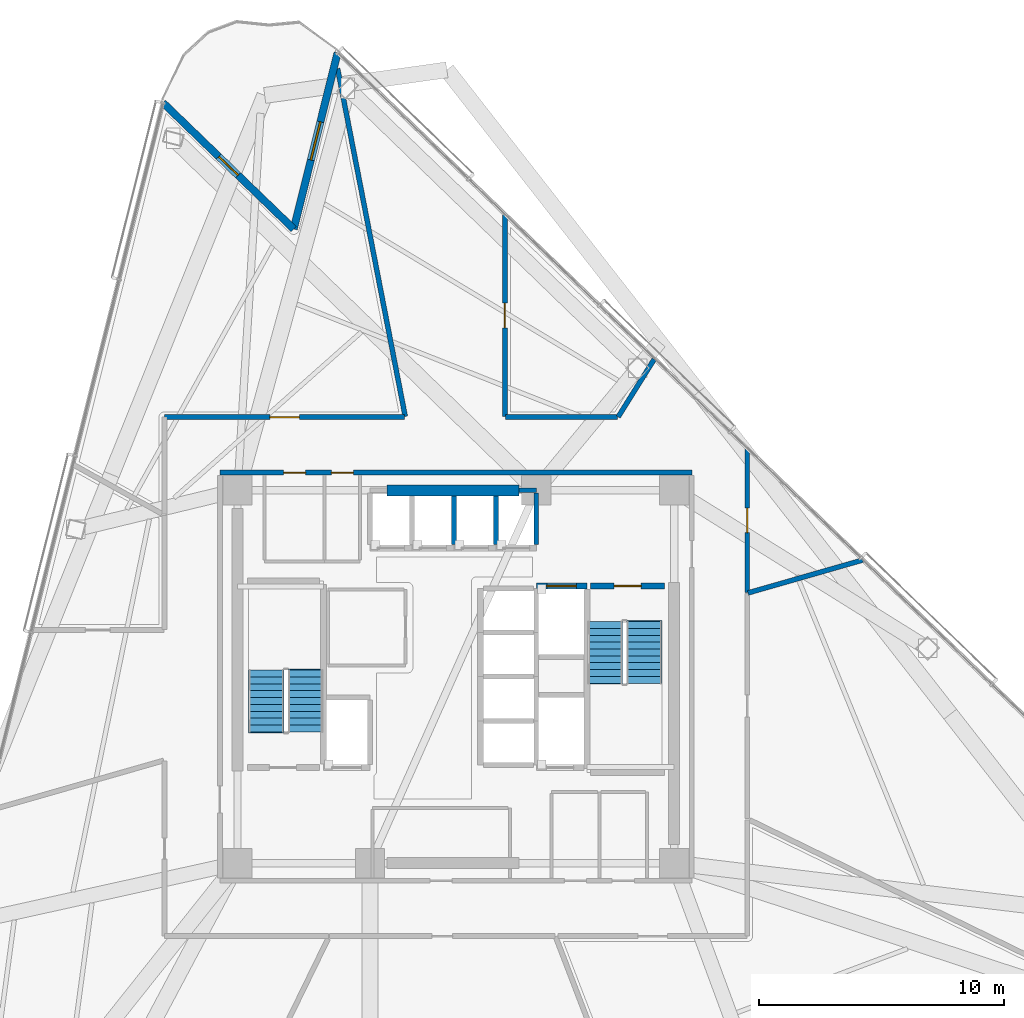
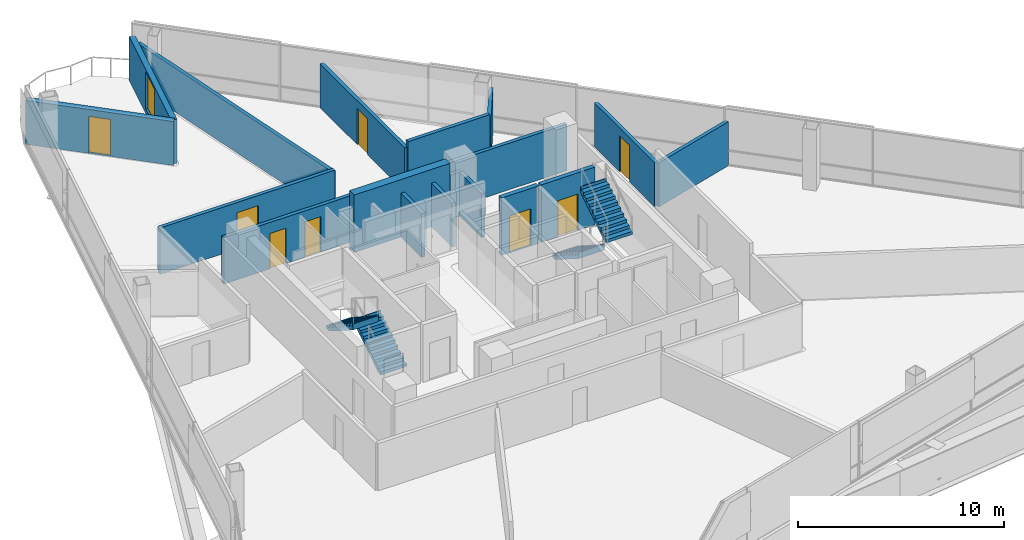
# One storey, part 13 of 21: 17 walls, 8 doors, 4 stair flights, 1 window, 9 openings, 2 elements without a shape of their own.
"""IFC4 building model written with IfcOpenShell, lengths in metres."""

import ifcopenshell
import ifcopenshell.guid

model = None  # the IFC model being written
_history = None  # IfcOwnerHistory: only IFC2X3 demands one
_inside = {}  # id of a spatial element -> (the spatial element, [elements in it])
_under = {}  # id of a project, library or spatial element -> (it, [spatial elements below it])
_declared = {}  # id of a project -> (the project, [libraries it declares])
_typed = {}  # id of a type object -> (the type object, [elements of that type])
_made_of = {}  # id of a material, layer set ... -> (it, [elements and type objects made of it])


def new_model(schema):
    """Start an empty IFC model of exactly this schema.

    Asked for "IFC4X3", IfcOpenShell would pick the latest addendum, in which some entities
    have other attributes; the version numbers below select the first issue.
    IFC2X3 requires an IfcOwnerHistory on every rooted entity: one is made here for all.
    """
    global model, _history
    if schema == "IFC4X3":
        model = ifcopenshell.file(schema_version=(4, 3, 0, 0))
    else:
        model = ifcopenshell.file(schema=schema)
    _inside.clear()
    _under.clear()
    _declared.clear()
    _typed.clear()
    _made_of.clear()
    _history = None
    if model.schema == "IFC2X3":
        org = make("IfcOrganization", Name="unknown")
        user = make(
            "IfcPersonAndOrganization",
            ThePerson=make("IfcPerson", FamilyName="unknown"),
            TheOrganization=org,
        )
        app = make(
            "IfcApplication",
            ApplicationDeveloper=org,
            Version="unknown",
            ApplicationFullName="unknown",
            ApplicationIdentifier="unknown",
        )
        _history = make(
            "IfcOwnerHistory",
            OwningUser=user,
            OwningApplication=app,
            ChangeAction="ADDED",
            CreationDate=0,
        )
    return model


def make(cls, **values):
    """One entity of the class cls with the attributes given. An attribute that is None is left unset."""
    return model.create_entity(
        cls, **{name: value for name, value in values.items() if value is not None}
    )


def rooted(cls, **values):
    """An entity with a GlobalId (a new one), such as an element, a storey or a relation."""
    return make(cls, GlobalId=ifcopenshell.guid.new(), OwnerHistory=_history, **values)


def si_unit(unit_type, name, prefix=None):
    """IfcSIUnit, for example si_unit("LENGTHUNIT", "METRE", prefix="MILLI")."""
    return make("IfcSIUnit", UnitType=unit_type, Prefix=prefix, Name=name)


def assignment(units):
    """IfcUnitAssignment: the units of a project."""
    return None if units is None else make("IfcUnitAssignment", Units=units)


def point(xyz):
    """IfcCartesianPoint."""
    return None if xyz is None else make("IfcCartesianPoint", Coordinates=xyz)


def direction(xyz):
    """IfcDirection."""
    return None if xyz is None else make("IfcDirection", DirectionRatios=xyz)


def frame(location, z_axis=None, x_axis=None):
    """IfcAxis2Placement3D, a coordinate frame: its origin and axes. An axis left out is left unset."""
    return make(
        "IfcAxis2Placement3D",
        Location=point(location),
        Axis=direction(z_axis),
        RefDirection=direction(x_axis),
    )


def frame_2d(location, x_axis=None):
    """IfcAxis2Placement2D, a coordinate frame in the plane: its origin and x axis."""
    return make(
        "IfcAxis2Placement2D", Location=point(location), RefDirection=direction(x_axis)
    )


def origin():
    """The frame at (0, 0, 0) with its axes left unset."""
    return frame((0.0, 0.0, 0.0))


def place(relative_to, where):
    """IfcLocalPlacement: puts the frame where relative to a parent placement (None: the world)."""
    return make(
        "IfcLocalPlacement", PlacementRelTo=relative_to, RelativePlacement=where
    )


def context(
    kind, dimensions, precision=None, world=None, true_north=None, identifier=None
):
    """IfcGeometricRepresentationContext, for example the 3D "Model" context."""
    return make(
        "IfcGeometricRepresentationContext",
        ContextIdentifier=identifier,
        ContextType=kind,
        CoordinateSpaceDimension=dimensions,
        Precision=precision,
        WorldCoordinateSystem=world,
        TrueNorth=true_north,
    )


def subcontext(parent, identifier, kind, view, scale=None):
    """IfcGeometricRepresentationSubContext, for example "Body" below "Model"."""
    return make(
        "IfcGeometricRepresentationSubContext",
        ContextIdentifier=identifier,
        ContextType=kind,
        ParentContext=parent,
        TargetScale=scale,
        TargetView=view,
    )


def project(units=None, contexts=None):
    """IfcProject with its units and contexts."""
    return rooted(
        "IfcProject",
        Name="project",
        RepresentationContexts=contexts,
        UnitsInContext=assignment(units),
    )


def spatial(cls, under=None, at=None, **own):
    """A site, building, storey or space (cls), placed at a placement, below another one or the project."""
    s = rooted(cls, ObjectPlacement=at, **own)
    if under is not None:
        _under.setdefault(under.id(), (under, []))[1].append(s)
    return s


def polyline(points):
    """IfcPolyline through the points."""
    return make("IfcPolyline", Points=[point(p) for p in points])


def profile(cls, at=None, kind="AREA", **sizes):
    """A parametric profile (cls). Its sizes go by their IFC names, for example OverallWidth=200.0."""
    return make(cls, ProfileType=kind, Position=at, **sizes)


def rectangle(**sizes):
    """IfcRectangleProfileDef."""
    return profile("IfcRectangleProfileDef", **sizes)


def outline(outer, holes=None, kind="AREA"):
    """IfcArbitraryClosedProfileDef: a profile drawn as a closed curve; with holes, ...WithVoids."""
    if holes is None:
        return make("IfcArbitraryClosedProfileDef", ProfileType=kind, OuterCurve=outer)
    return make(
        "IfcArbitraryProfileDefWithVoids",
        ProfileType=kind,
        OuterCurve=outer,
        InnerCurves=holes,
    )


def extrude(swept, where, along, depth):
    """IfcExtrudedAreaSolid: the profile swept, set in the frame where, extruded along a direction by depth."""
    return make(
        "IfcExtrudedAreaSolid",
        SweptArea=swept,
        Position=where,
        ExtrudedDirection=direction(along),
        Depth=depth,
    )


def shape(context_of_items, identifier, shape_type, items):
    """IfcShapeRepresentation: the items that make up one representation, for example the "Body"."""
    return make(
        "IfcShapeRepresentation",
        ContextOfItems=context_of_items,
        RepresentationIdentifier=identifier,
        RepresentationType=shape_type,
        Items=items,
    )


def material(Name=None, Category=None):
    """IfcMaterial."""
    return make("IfcMaterial", Name=Name, Category=Category)


def layer(
    of_material, thickness, ventilated=None, Name=None, Category=None, Priority=None
):
    """IfcMaterialLayer: one layer of a wall or slab, of a material (None: an air gap)."""
    return make(
        "IfcMaterialLayer",
        Material=of_material,
        LayerThickness=thickness,
        IsVentilated=ventilated,
        Name=Name,
        Category=Category,
        Priority=Priority,
    )


def layer_set(layers, Name=None):
    """IfcMaterialLayerSet."""
    return make("IfcMaterialLayerSet", MaterialLayers=layers, LayerSetName=Name)


def made_of(thing, what):
    """Note that an element or type object is made of a material, layer set ...; save() writes the relation."""
    if what is not None:
        _made_of.setdefault(what.id(), (what, []))[1].append(thing)
    return thing


def type_object(cls, material=None, **own):
    """A type object (cls), such as IfcWallType, which elements share."""
    return made_of(rooted(cls, **own), material)


def element(
    cls,
    number,
    at=None,
    inside=None,
    cuts=None,
    type_object=None,
    material=None,
    context=None,
    identifier="Body",
    shape_type=None,
    held_by="IfcProductDefinitionShape",
    body=None,
    shapes=None,
    **own,
):
    """One element of the class cls, such as IfcWall. Its Tag is "e" and its number.

    at: its placement. inside: the storey or other place that contains it. cuts: it is an
    opening in that element (IfcRelVoidsElement). A single representation is given by context,
    identifier, shape_type and body (its items); several are given by shapes. held_by: the class
    of the entity that holds the representations. save() writes the other relations.
    """
    e = rooted(cls, Tag="e%d" % number, ObjectPlacement=at, **own)
    if body is not None:
        shapes = [shape(context, identifier, shape_type, body)]
    if shapes is not None:
        e.Representation = make(held_by, Representations=shapes)
    if inside is not None:
        _inside.setdefault(inside.id(), (inside, []))[1].append(e)
    if cuts is not None:
        rooted(
            "IfcRelVoidsElement", RelatingBuildingElement=cuts, RelatedOpeningElement=e
        )
    if type_object is not None:
        _typed.setdefault(type_object.id(), (type_object, []))[1].append(e)
    return made_of(e, material)


def fill(opening, filler):
    """IfcRelFillsElement: the door or window that sits in an opening."""
    return rooted(
        "IfcRelFillsElement",
        RelatingOpeningElement=opening,
        RelatedBuildingElement=filler,
    )


def aggregate(whole, parts):
    """IfcRelAggregates: a whole, such as a stair, and the parts it consists of."""
    return rooted("IfcRelAggregates", RelatingObject=whole, RelatedObjects=parts)


def save(model, path):
    """Write the relations noted so far, then the file.

    IfcRelAggregates (storeys below a building ...), IfcRelContainedInSpatialStructure (elements
    in a storey), IfcRelDefinesByType, IfcRelAssociatesMaterial and IfcRelDeclares: one each for
    every whole, place, type object, material and project.
    """
    for whole, parts in _under.values():
        aggregate(whole, parts)
    for where, things in _inside.values():
        rooted(
            "IfcRelContainedInSpatialStructure",
            RelatedElements=things,
            RelatingStructure=where,
        )
    for kind, things in _typed.values():
        rooted("IfcRelDefinesByType", RelatedObjects=things, RelatingType=kind)
    for what, things in _made_of.values():
        rooted("IfcRelAssociatesMaterial", RelatedObjects=things, RelatingMaterial=what)
    for by, libraries in _declared.values():
        rooted("IfcRelDeclares", RelatingContext=by, RelatedDefinitions=libraries)
    model.write(path)


model = new_model("IFC4")

# Units and contexts
model_context = context("Model", 3, precision=1e-05, world=origin(), true_north=direction((0.0, 1.0)))
body_context = subcontext(model_context, "Body", "Model", "MODEL_VIEW")
ifc_project = project(units=[si_unit("LENGTHUNIT", "METRE"), si_unit("AREAUNIT", "SQUARE_METRE"), si_unit("VOLUMEUNIT", "CUBIC_METRE"), si_unit("PLANEANGLEUNIT", "RADIAN"), si_unit("MASSUNIT", "GRAM", prefix="KILO")], contexts=[model_context])

# Site, building, storey
site_placement = place(None, origin())
site = spatial("IfcSite", under=ifc_project, at=site_placement, CompositionType="ELEMENT")
building_placement = place(site_placement, origin())
building = spatial("IfcBuilding", under=site, at=building_placement, Name="Tharavind Bronze Gate", CompositionType="ELEMENT")
storey_placement = place(building_placement, frame((0.0, 0.0, 86.10009765625)))
storey = spatial("IfcBuildingStorey", under=building, at=storey_placement, Name="L21", CompositionType="ELEMENT", Elevation=86.10009765625)

# Wall, opening, window
ifc_material_1 = material(Name="Concrete C40/50", Category="concrete")
ifc_layer_1 = layer(ifc_material_1, 0.300048828125)
ifc_layer_set_1 = layer_set([ifc_layer_1], Name="Concrete C40/50")
wall_type_1 = type_object("IfcWallType", Name="EXTERIOR SPANDREL WALL 300", PredefinedType="STANDARD", material=ifc_layer_set_1)
wall_1_placement = place(storey_placement, frame((-4.8203125, 25.433837890625, 0.0), z_axis=(0.0, 0.0, 1.0), x_axis=(-0.241930078207, -0.970293686086, 0.0)))
wall_1 = element("IfcWall", 1, at=wall_1_placement, inside=storey, type_object=wall_type_1, Name="L21 notch cheek wall 1A", PredefinedType="STANDARD", context=body_context, shape_type="SweptSolid", body=[
    extrude(rectangle(XDim=7.39990234375, YDim=0.300048828125, at=frame_2d((3.699951171875, 0.0))), origin(), (0.0, 0.0, 1.0), 2.60498046875),
])
opening_1_placement = place(wall_1_placement, frame((2.89990234375, 0.0, 0.25)))
opening_1 = element("IfcOpeningElement", 2, at=opening_1_placement, cuts=wall_1, Name="Opening W05", PredefinedType="OPENING", context=body_context, shape_type="SweptSolid", body=[
    extrude(rectangle(XDim=1.60009765625, YDim=2.199951171875, at=frame_2d((0.800048828125, 1.10009765625))), frame((0.0, 0.15990234375, 0.0), z_axis=(0.0, -1.0, 0.0), x_axis=(1.0, 0.0, 0.0)), (0.0, 0.0, 1.0), 0.320048828125),
])
ifc_material_2 = material(Name="Bronze Aluminium & Low-E Glass", Category="aluminium")
window_type = type_object("IfcWindowType", Name="OFFICE NOTCH BRONZE WINDOW 1600X2200", PartitioningType="DOUBLE_PANEL_VERTICAL", PredefinedType="WINDOW", material=ifc_material_2)
window_placement = place(opening_1_placement, origin())
window = element("IfcWindow", 3, at=window_placement, inside=storey, type_object=window_type, Name="L21 exterior window WL-L21-NCA1-01", OverallHeight=2.199951171875, OverallWidth=1.60009765625, PartitioningType="SINGLE_PANEL", PredefinedType="WINDOW", context=body_context, shape_type="SweptSolid", body=[
    extrude(rectangle(XDim=1.60009765625, YDim=2.199951171875, at=frame_2d((0.800048828125, 1.10009765625))), frame((0.0, 0.030029296875, 0.0), z_axis=(0.0, -1.0, 0.0), x_axis=(1.0, 0.0, 0.0)), (0.0, 0.0, 1.0), 0.06005859375),
])
fill(opening_1, window)

# Wall, opening, door
wall_2_placement = place(storey_placement, frame((-6.610595703125, 18.253662109375, 0.0), z_axis=(0.0, 0.0, 1.0), x_axis=(-0.719321869339, 0.694676938073, 0.0)))
wall_2 = element("IfcWall", 4, at=wall_2_placement, inside=storey, type_object=wall_type_1, Name="L21 notch cheek wall 1B", PredefinedType="STANDARD", context=body_context, shape_type="SweptSolid", body=[
    extrude(rectangle(XDim=7.39990234375, YDim=0.300048828125, at=frame_2d((3.699951171875, 0.0))), origin(), (0.0, 0.0, 1.0), 2.60498046875),
])
opening_2_placement = place(wall_2_placement, frame((3.14990234375, 0.0, 0.0)))
opening_2 = element("IfcOpeningElement", 5, at=opening_2_placement, cuts=wall_2, Name="Opening ED04", PredefinedType="OPENING", context=body_context, shape_type="SweptSolid", body=[
    extrude(rectangle(XDim=1.10009765625, YDim=2.199951171875, at=frame_2d((0.550048828125, 1.10009765625))), frame((0.0, 0.15990234375, 0.0), z_axis=(0.0, -1.0, 0.0), x_axis=(1.0, 0.0, 0.0)), (0.0, 0.0, 1.0), 0.320048828125),
])
ifc_material_3 = material(Name="Bronze Aluminium & Toughened Glass", Category="aluminium")
door_type_1 = type_object("IfcDoorType", Name="TREE BALCONY ACCESS DOOR 1100X2200", OperationType="SINGLE_SWING_LEFT", PredefinedType="DOOR", material=ifc_material_3)
door_1_placement = place(opening_2_placement, frame((1.10009765625, 0.0, 0.0), z_axis=(0.0, 0.0, 1.0), x_axis=(-1.0, 0.0, 0.0)))
door_1 = element("IfcDoor", 6, at=door_1_placement, inside=storey, type_object=door_type_1, Name="L21 tree balcony access door", OperationType="SINGLE_SWING_LEFT", OverallHeight=2.199951171875, OverallWidth=1.10009765625, PredefinedType="DOOR", context=body_context, shape_type="SweptSolid", body=[
    extrude(rectangle(XDim=1.10009765625, YDim=2.199951171875, at=frame_2d((0.550048828125, 1.10009765625))), frame((0.0, 0.02490234375, 0.0), z_axis=(0.0, -1.0, 0.0), x_axis=(1.0, 0.0, 0.0)), (0.0, 0.0, 1.0), 0.050048828125),
])
fill(opening_2, door_1)

# Wall, openings, doors
ifc_material_4 = material(Name="Aerated Concrete Block", Category="concrete")
ifc_layer_2 = layer(ifc_material_4, 0.199951171875)
ifc_layer_set_2 = layer_set([ifc_layer_2], Name="Aerated Concrete Block")
wall_type_2 = type_object("IfcWallType", Name="FIRE RATED PARTITION 200", PredefinedType="PARTITIONING", material=ifc_layer_set_2)
wall_3_placement = place(storey_placement, frame((9.6201171875, 8.320068359375, 0.0), z_axis=(0.0, 0.0, 1.0), x_axis=(-1.0, 0.0, 0.0)))
wall_3 = element("IfcWall", 7, at=wall_3_placement, inside=storey, type_object=wall_type_2, Name="L21 north core corridor wall", PredefinedType="PARTITIONING", context=body_context, shape_type="SweptSolid", body=[
    extrude(rectangle(XDim=19.240234375, YDim=0.199951171875, at=frame_2d((9.6201171875, 0.0))), origin(), (0.0, 0.0, 1.0), 2.7548828125),
])
opening_3_placement = place(wall_3_placement, frame((15.7451171875, 0.0, 0.0)))
opening_3 = element("IfcOpeningElement", 8, at=opening_3_placement, cuts=wall_3, Name="Opening ID07", PredefinedType="OPENING", context=body_context, shape_type="SweptSolid", body=[
    extrude(rectangle(XDim=0.89990234375, YDim=2.10009765625, at=frame_2d((0.449951171875, 1.050048828125))), frame((0.0, 0.11009765625, 0.0), z_axis=(0.0, -1.0, 0.0), x_axis=(1.0, 0.0, 0.0)), (0.0, 0.0, 1.0), 0.219951171875),
])
opening_4_placement = place(wall_3_placement, frame((13.794921875, 0.0, 0.0)))
opening_4 = element("IfcOpeningElement", 9, at=opening_4_placement, cuts=wall_3, Name="Opening ID07", PredefinedType="OPENING", context=body_context, shape_type="SweptSolid", body=[
    extrude(rectangle(XDim=0.89990234375, YDim=2.10009765625, at=frame_2d((0.449951171875, 1.050048828125))), frame((0.0, 0.11009765625, 0.0), z_axis=(0.0, -1.0, 0.0), x_axis=(1.0, 0.0, 0.0)), (0.0, 0.0, 1.0), 0.219951171875),
])
ifc_material_5 = material(Name="Galvanised Fire Steel", Category="steel")
door_type_2 = type_object("IfcDoorType", Name="PLANT AND RISER FIRE DOOR 900X2100", OperationType="SINGLE_SWING_LEFT", PredefinedType="DOOR", material=ifc_material_5)
door_2_placement = place(opening_3_placement, origin())
door_2 = element("IfcDoor", 10, at=door_2_placement, inside=storey, type_object=door_type_2, Name="L21 Electrical Metering Room fire door", OperationType="SINGLE_SWING_LEFT", OverallHeight=2.10009765625, OverallWidth=0.89990234375, PredefinedType="DOOR", context=body_context, shape_type="SweptSolid", body=[
    extrude(rectangle(XDim=0.89990234375, YDim=2.10009765625, at=frame_2d((0.449951171875, 1.050048828125))), frame((0.0, 0.02490234375, 0.0), z_axis=(0.0, -1.0, 0.0), x_axis=(1.0, 0.0, 0.0)), (0.0, 0.0, 1.0), 0.050048828125),
])
fill(opening_3, door_2)
door_3_placement = place(opening_4_placement, origin())
door_3 = element("IfcDoor", 11, at=door_3_placement, inside=storey, type_object=door_type_2, Name="L21 Linen Cupboard fire door", OperationType="SINGLE_SWING_LEFT", OverallHeight=2.10009765625, OverallWidth=0.89990234375, PredefinedType="DOOR", context=body_context, shape_type="SweptSolid", body=[
    extrude(rectangle(XDim=0.89990234375, YDim=2.10009765625, at=frame_2d((0.449951171875, 1.050048828125))), frame((0.0, 0.02490234375, 0.0), z_axis=(0.0, -1.0, 0.0), x_axis=(1.0, 0.0, 0.0)), (0.0, 0.0, 1.0), 0.050048828125),
])
fill(opening_4, door_3)

# Wall
wall_4_placement = place(storey_placement, frame((16.5908203125, 4.75732421875, 0.0), z_axis=(0.0, 0.0, 1.0), x_axis=(-0.961268012523, -0.275615326314, 0.0)))
element("IfcWall", 12, at=wall_4_placement, inside=storey, type_object=wall_type_2, Name="L21 Open Office Workplace North partition", PredefinedType="PARTITIONING", context=body_context, shape_type="SweptSolid", body=[
    extrude(rectangle(XDim=4.867431640625, YDim=0.199951171875, at=frame_2d((2.43359375, 0.0))), origin(), (0.0, 0.0, 1.0), 2.60498046875),
])

# Wall, opening, door
wall_5_placement = place(storey_placement, frame((11.8798828125, 3.439697265625, 0.0), z_axis=(0.0, 0.0, 1.0), x_axis=(0.0, 1.0, 0.0)))
wall_5 = element("IfcWall", 13, at=wall_5_placement, inside=storey, type_object=wall_type_2, Name="L21 Open Office Workplace North partition", PredefinedType="PARTITIONING", context=body_context, shape_type="SweptSolid", body=[
    extrude(rectangle(XDim=5.866943359375, YDim=0.199951171875, at=frame_2d((2.93359375, 0.0))), origin(), (0.0, 0.0, 1.0), 2.60498046875),
])
opening_5_placement = place(wall_5_placement, frame((2.43310546875, 0.0, 0.0)))
opening_5 = element("IfcOpeningElement", 14, at=opening_5_placement, cuts=wall_5, Name="Opening ID04", PredefinedType="OPENING", context=body_context, shape_type="SweptSolid", body=[
    extrude(rectangle(XDim=1.0, YDim=2.14990234375, at=frame_2d((0.5, 1.074951171875))), frame((0.0, 0.11009765625, 0.0), z_axis=(0.0, -1.0, 0.0), x_axis=(1.0, 0.0, 0.0)), (0.0, 0.0, 1.0), 0.219951171875),
])
ifc_material_6 = material(Name="Bronze Framed Acoustic Timber", Category="wood")
door_type_3 = type_object("IfcDoorType", Name="OFFICE TENANCY DOOR 1000X2150", OperationType="SINGLE_SWING_RIGHT", PredefinedType="DOOR", material=ifc_material_6)
door_4_placement = place(opening_5_placement, origin())
door_4 = element("IfcDoor", 15, at=door_4_placement, inside=storey, type_object=door_type_3, Name="L21 Open Office Workplace North door", OperationType="SINGLE_SWING_RIGHT", OverallHeight=2.14990234375, OverallWidth=1.0, PredefinedType="DOOR", context=body_context, shape_type="SweptSolid", body=[
    extrude(rectangle(XDim=1.0, YDim=2.14990234375, at=frame_2d((0.5, 1.074951171875))), frame((0.0, 0.02490234375, 0.0), z_axis=(0.0, -1.0, 0.0), x_axis=(1.0, 0.0, 0.0)), (0.0, 0.0, 1.0), 0.050048828125),
])
fill(opening_5, door_4)

# Walls
wall_6_placement = place(storey_placement, frame((8.0869140625, 12.94189453125, 0.0), z_axis=(0.0, 0.0, 1.0), x_axis=(-0.529919746943, -0.848047794526, 0.0)))
element("IfcWall", 16, at=wall_6_placement, inside=storey, type_object=wall_type_2, Name="L21 Executive Corner Office partition", PredefinedType="PARTITIONING", context=body_context, shape_type="SweptSolid", body=[
    extrude(rectangle(XDim=2.771240234375, YDim=0.199951171875, at=frame_2d((1.3857421875, 0.0))), origin(), (0.0, 0.0, 1.0), 2.60498046875),
])
wall_7_placement = place(storey_placement, frame((6.597412109375, 10.580078125, 0.0), z_axis=(0.0, 0.0, 1.0), x_axis=(-1.0, 0.0, 0.0)))
element("IfcWall", 17, at=wall_7_placement, inside=storey, type_object=wall_type_2, Name="L21 Executive Corner Office partition", PredefinedType="PARTITIONING", context=body_context, shape_type="SweptSolid", body=[
    extrude(rectangle(XDim=4.572509765625, YDim=0.199951171875, at=frame_2d((2.2861328125, 0.0))), origin(), (0.0, 0.0, 1.0), 3.0048828125),
])

# Wall, opening, door
wall_8_placement = place(storey_placement, frame((2.0, 10.60498046875, 0.0), z_axis=(0.0, 0.0, 1.0), x_axis=(0.0, 1.0, 0.0)))
wall_8 = element("IfcWall", 18, at=wall_8_placement, inside=storey, type_object=wall_type_2, Name="L21 Executive Corner Office partition", PredefinedType="PARTITIONING", context=body_context, shape_type="SweptSolid", body=[
    extrude(rectangle(XDim=8.242431640625, YDim=0.199951171875, at=frame_2d((4.12109375, 0.0))), origin(), (0.0, 0.0, 1.0), 2.60498046875),
])
opening_6_placement = place(wall_8_placement, frame((3.62109375, 0.0, 0.0)))
opening_6 = element("IfcOpeningElement", 19, at=opening_6_placement, cuts=wall_8, Name="Opening ID04", PredefinedType="OPENING", context=body_context, shape_type="SweptSolid", body=[
    extrude(rectangle(XDim=1.0, YDim=2.14990234375, at=frame_2d((0.5, 1.074951171875))), frame((0.0, 0.11009765625, 0.0), z_axis=(0.0, -1.0, 0.0), x_axis=(1.0, 0.0, 0.0)), (0.0, 0.0, 1.0), 0.219951171875),
])
door_5_placement = place(opening_6_placement, origin())
door_5 = element("IfcDoor", 20, at=door_5_placement, inside=storey, type_object=door_type_3, Name="L21 Executive Corner Office door", OperationType="SINGLE_SWING_RIGHT", OverallHeight=2.14990234375, OverallWidth=1.0, PredefinedType="DOOR", context=body_context, shape_type="SweptSolid", body=[
    extrude(rectangle(XDim=1.0, YDim=2.14990234375, at=frame_2d((0.5, 1.074951171875))), frame((0.0, 0.02490234375, 0.0), z_axis=(0.0, -1.0, 0.0), x_axis=(1.0, 0.0, 0.0)), (0.0, 0.0, 1.0), 0.050048828125),
])
fill(opening_6, door_5)

# Wall
wall_9_placement = place(storey_placement, frame((-4.81982421875, 24.795654296875, 0.0), z_axis=(0.0, 0.0, 1.0), x_axis=(0.190817657992, -0.981625499566, 0.0)))
element("IfcWall", 21, at=wall_9_placement, inside=storey, type_object=wall_type_2, Name="L21 Boardroom partition", PredefinedType="PARTITIONING", context=body_context, shape_type="SweptSolid", body=[
    extrude(rectangle(XDim=14.451416015625, YDim=0.199951171875, at=frame_2d((7.2255859375, 0.0))), origin(), (0.0, 0.0, 1.0), 2.60498046875),
])

# Wall, opening, door
wall_10_placement = place(storey_placement, frame((-2.0869140625, 10.580078125, 0.0), z_axis=(0.0, 0.0, 1.0), x_axis=(-1.0, 0.0, 0.0)))
wall_10 = element("IfcWall", 22, at=wall_10_placement, inside=storey, type_object=wall_type_2, Name="L21 Boardroom partition", PredefinedType="PARTITIONING", context=body_context, shape_type="SweptSolid", body=[
    extrude(rectangle(XDim=9.79248046875, YDim=0.199951171875, at=frame_2d((4.896240234375, 0.0))), origin(), (0.0, 0.0, 1.0), 2.7548828125),
])
opening_7_placement = place(wall_10_placement, frame((4.2958984375, 0.0, 0.0)))
opening_7 = element("IfcOpeningElement", 23, at=opening_7_placement, cuts=wall_10, Name="Opening ID05", PredefinedType="OPENING", context=body_context, shape_type="SweptSolid", body=[
    extrude(rectangle(XDim=1.199951171875, YDim=2.14990234375, at=frame_2d((0.60009765625, 1.074951171875))), frame((0.0, 0.11009765625, 0.0), z_axis=(0.0, -1.0, 0.0), x_axis=(1.0, 0.0, 0.0)), (0.0, 0.0, 1.0), 0.219951171875),
])
ifc_material_7 = material(Name="Acoustic Laminated Glass", Category="glass")
door_type_4 = type_object("IfcDoorType", Name="MEETING ROOM GLAZED DOOR 1200X2150", OperationType="SINGLE_SWING_LEFT", PredefinedType="DOOR", material=ifc_material_7)
door_6_placement = place(opening_7_placement, origin())
door_6 = element("IfcDoor", 24, at=door_6_placement, inside=storey, type_object=door_type_4, Name="L21 Boardroom door", OperationType="SINGLE_SWING_LEFT", OverallHeight=2.14990234375, OverallWidth=1.199951171875, PredefinedType="DOOR", context=body_context, shape_type="SweptSolid", body=[
    extrude(rectangle(XDim=1.199951171875, YDim=2.14990234375, at=frame_2d((0.60009765625, 1.074951171875))), frame((0.0, 0.02490234375, 0.0), z_axis=(0.0, -1.0, 0.0), x_axis=(1.0, 0.0, 0.0)), (0.0, 0.0, 1.0), 0.050048828125),
])
fill(opening_7, door_6)

ifc_material_8 = material(Name="Concrete C50/60", Category="concrete")
ifc_layer_3 = layer(ifc_material_8, 0.25)
ifc_layer_set_3 = layer_set([ifc_layer_3], Name="Concrete C50/60")
wall_type_3 = type_object("IfcWallType", Name="RC CORE SHEAR WALL 250", PredefinedType="SHEAR", material=ifc_layer_set_3)
wall_11_placement = place(storey_placement, frame((5.5, 3.699951171875, 0.0), z_axis=(0.0, 0.0, 1.0), x_axis=(1.0, 0.0, 0.0)))
wall_11 = element("IfcWall", 25, at=wall_11_placement, inside=storey, type_object=wall_type_3, Name="L21 ST2 shaft north wall", PredefinedType="SHEAR", context=body_context, shape_type="SweptSolid", body=[
    extrude(rectangle(XDim=3.0, YDim=0.25, at=frame_2d((1.5, 0.0))), origin(), (0.0, 0.0, 1.0), 3.409912109375),
])
opening_8_placement = place(wall_11_placement, frame((0.949951171875, 0.0, 0.0)))
opening_8 = element("IfcOpeningElement", 26, at=opening_8_placement, cuts=wall_11, Name="Opening ID01", PredefinedType="OPENING", context=body_context, shape_type="SweptSolid", body=[
    extrude(rectangle(XDim=1.10009765625, YDim=2.14990234375, at=frame_2d((0.550048828125, 1.074951171875))), frame((0.0, 0.135, 0.0), z_axis=(0.0, -1.0, 0.0), x_axis=(1.0, 0.0, 0.0)), (0.0, 0.0, 1.0), 0.27),
])
ifc_material_9 = material(Name="Fire-Rated Steel", Category="steel")
door_type_5 = type_object("IfcDoorType", Name="STAIR CORE FIRE DOOR 1100X2150", OperationType="SINGLE_SWING_LEFT", PredefinedType="DOOR", material=ifc_material_9)
door_7_placement = place(opening_8_placement, frame((1.10009765625, 0.0, 0.0), z_axis=(0.0, 0.0, 1.0), x_axis=(-1.0, 0.0, 0.0)))
door_7 = element("IfcDoor", 27, at=door_7_placement, inside=storey, type_object=door_type_5, Name="L21 exit stair ST2 fire door", OperationType="SINGLE_SWING_LEFT", OverallHeight=2.14990234375, OverallWidth=1.10009765625, PredefinedType="DOOR", context=body_context, shape_type="SweptSolid", body=[
    extrude(rectangle(XDim=1.10009765625, YDim=2.14990234375, at=frame_2d((0.550048828125, 1.074951171875))), frame((0.0, 0.02490234375, 0.0), z_axis=(0.0, -1.0, 0.0), x_axis=(1.0, 0.0, 0.0)), (0.0, 0.0, 1.0), 0.050048828125),
])
fill(opening_8, door_7)

wall_12_placement = place(storey_placement, frame((3.280029296875, 3.699951171875, 0.0), z_axis=(0.0, 0.0, 1.0), x_axis=(1.0, 0.0, 0.0)))
wall_12 = element("IfcWall", 28, at=wall_12_placement, inside=storey, type_object=wall_type_3, Name="L21 lift FFL2 shaft front wall", PredefinedType="SHEAR", context=body_context, shape_type="SweptSolid", body=[
    extrude(rectangle(XDim=2.070068359375, YDim=0.25, at=frame_2d((1.03515625, 0.0))), origin(), (0.0, 0.0, 1.0), 3.409912109375),
])
opening_9_placement = place(wall_12_placement, frame((0.43505859375, 0.0, 0.0)))
opening_9 = element("IfcOpeningElement", 29, at=opening_9_placement, cuts=wall_12, Name="Opening LD02", PredefinedType="OPENING", context=body_context, shape_type="SweptSolid", body=[
    extrude(rectangle(XDim=1.199951171875, YDim=2.199951171875, at=frame_2d((0.60009765625, 1.10009765625))), frame((0.0, 0.135, 0.0), z_axis=(0.0, -1.0, 0.0), x_axis=(1.0, 0.0, 0.0)), (0.0, 0.0, 1.0), 0.27),
])
ifc_material_10 = material(Name="Brushed Stainless Steel", Category="steel")
door_type_6 = type_object("IfcDoorType", Name="FIREFIGHTING LIFT LANDING DOOR 1200X2200", OperationType="SLIDING_TO_RIGHT", PredefinedType="DOOR", material=ifc_material_10)
door_8_placement = place(opening_9_placement, origin())
door_8 = element("IfcDoor", 30, at=door_8_placement, inside=storey, type_object=door_type_6, Name="L21 lift FFL2 sliding landing door", OperationType="SLIDING_TO_RIGHT", OverallHeight=2.199951171875, OverallWidth=1.199951171875, PredefinedType="DOOR", context=body_context, shape_type="SweptSolid", body=[
    extrude(rectangle(XDim=1.199951171875, YDim=2.199951171875, at=frame_2d((0.60009765625, 1.10009765625))), frame((0.0, 0.02490234375, 0.0), z_axis=(0.0, -1.0, 0.0), x_axis=(1.0, 0.0, 0.0)), (0.0, 0.0, 1.0), 0.050048828125),
])
fill(opening_9, door_8)

# Walls
ifc_material_11 = material(Name="Concrete C60/75", Category="concrete")
ifc_layer_4 = layer(ifc_material_11, 0.449951171875)
ifc_layer_set_4 = layer_set([ifc_layer_4], Name="Concrete C60/75")
wall_type_4 = type_object("IfcWallType", Name="RC CORE SHEAR WALL 450", PredefinedType="SHEAR", material=ifc_layer_set_4)
wall_13_placement = place(storey_placement, frame((-2.800048828125, 7.60009765625, 0.0), z_axis=(0.0, 0.0, 1.0), x_axis=(1.0, 0.0, 0.0)))
element("IfcWall", 31, at=wall_13_placement, inside=storey, type_object=wall_type_4, Name="L21 north core shear wall", PredefinedType="SHEAR", context=body_context, shape_type="SweptSolid", body=[
    extrude(rectangle(XDim=5.380126953125, YDim=0.449951171875, at=frame_2d((2.68994140625, 0.0))), origin(), (0.0, 0.0, 1.0), 3.409912109375),
])
ifc_layer_5 = layer(ifc_material_1, 0.199951171875)
ifc_layer_set_5 = layer_set([ifc_layer_5], Name="Concrete C40/50")
wall_type_5 = type_object("IfcWallType", Name="SHAFT ENCLOSURE WALL 200", PredefinedType="PARTITIONING", material=ifc_layer_set_5)
for number, where, z_axis, x_axis, name in (
    (32, (-0.074951171875, 5.3798828125, 0.0), (0.0, 0.0, 1.0), (0.0, 1.0, 0.0), "L21 lift PL6 shaft E enclosure wall"),
    (33, (1.637451171875, 5.3798828125, 0.0), (0.0, 0.0, 1.0), (0.0, 1.0, 0.0), "L21 lift PL7 shaft E enclosure wall"),
):
    element("IfcWall", number, at=place(storey_placement, frame(where, z_axis=z_axis, x_axis=x_axis)), inside=storey, type_object=wall_type_5, Name=name, PredefinedType="PARTITIONING", context=body_context, shape_type="SweptSolid", body=[
        extrude(rectangle(XDim=1.990234375, YDim=0.199951171875, at=frame_2d((0.9951171875, 0.0))), origin(), (0.0, 0.0, 1.0), 2.60498046875),
    ])
wall_14_placement = place(storey_placement, frame((2.580078125, 7.60009765625, 0.0), z_axis=(0.0, 0.0, 1.0), x_axis=(1.0, 0.0, 0.0)))
element("IfcWall", 34, at=wall_14_placement, inside=storey, type_object=wall_type_5, Name="L21 lift PL8 shaft N enclosure wall", PredefinedType="PARTITIONING", context=body_context, shape_type="SweptSolid", body=[
    extrude(rectangle(XDim=0.699951171875, YDim=0.199951171875, at=frame_2d((0.35009765625, 0.0))), origin(), (0.0, 0.0, 1.0), 2.60498046875),
])
wall_15_placement = place(storey_placement, frame((3.280029296875, 5.3798828125, 0.0), z_axis=(0.0, 0.0, 1.0), x_axis=(0.0, 1.0, 0.0)))
element("IfcWall", 35, at=wall_15_placement, inside=storey, type_object=wall_type_5, Name="L21 lift PL8 shaft E enclosure wall", PredefinedType="PARTITIONING", context=body_context, shape_type="SweptSolid", body=[
    extrude(rectangle(XDim=2.115234375, YDim=0.199951171875, at=frame_2d((1.0576171875, 0.0))), origin(), (0.0, 0.0, 1.0), 2.60498046875),
])

# Stair, stair flights
stair_type = type_object("IfcStairType", Name="CORE HALF TURN STAIR 1450", PredefinedType="HALF_TURN_STAIR", material=ifc_material_1)
stair_1_placement = place(storey_placement, origin())
stair_1 = element("IfcStair", 36, at=stair_1_placement, inside=storey, type_object=stair_type, Name="L21 Protected Exit Stair ST1", PredefinedType="HALF_TURN_STAIR")
stair_flight_type = type_object("IfcStairFlightType", Name="CORE STAIR FLIGHT 1450", PredefinedType="STRAIGHT", material=ifc_material_1)
stair_flight_1_placement = place(storey_placement, frame((-6.125, -2.25, 0.0), z_axis=(0.0, 0.0, 1.0), x_axis=(0.0, 1.0, 0.0)))
stair_flight_1 = element("IfcStairFlight", 37, at=stair_flight_1_placement, type_object=stair_flight_type, Name="ST1 flight 1", NumberOfRisers=10, NumberOfTreads=9, PredefinedType="STRAIGHT", RiserHeight=0.18, TreadLength=0.28, context=body_context, shape_type="SweptSolid", body=[
    extrude(outline(polyline([(0.0, 0.0), (0.0, 0.179931640625), (0.280029296875, 0.179931640625), (0.280029296875, 0.360107421875), (0.56005859375, 0.360107421875), (0.56005859375, 0.5400390625), (0.840087890625, 0.5400390625), (0.840087890625, 0.719970703125), (1.1201171875, 0.719970703125), (1.1201171875, 0.89990234375), (1.39990234375, 0.89990234375), (1.39990234375, 1.080078125), (1.679931640625, 1.080078125), (1.679931640625, 1.260009765625), (1.9599609375, 1.260009765625), (1.9599609375, 1.43994140625), (2.239990234375, 1.43994140625), (2.239990234375, 1.6201171875), (2.52001953125, 1.6201171875), (2.52001953125, 1.800048828125), (2.555908203125, 1.800048828125), (2.555908203125, 1.44189453125), (0.277099609375, 0.0), (0.0, 0.0)])), frame((0.0, 0.72509765625, 0.0), z_axis=(0.0, -1.0, 0.0), x_axis=(1.0, 0.0, 0.0)), (0.0, 0.0, 1.0), 1.449951171875),
])
stair_flight_2_placement = place(storey_placement, frame((-7.72509765625, 0.27001953125, 1.7998046875), z_axis=(0.0, 0.0, 1.0), x_axis=(0.0, -1.0, 0.0)))
stair_flight_2 = element("IfcStairFlight", 38, at=stair_flight_2_placement, type_object=stair_flight_type, Name="ST1 flight 2", NumberOfRisers=10, NumberOfTreads=9, PredefinedType="STRAIGHT", RiserHeight=0.18, TreadLength=0.28, context=body_context, shape_type="SweptSolid", body=[
    extrude(outline(polyline([(0.0, 0.0), (0.0, 0.179931640625), (0.280029296875, 0.179931640625), (0.280029296875, 0.360107421875), (0.56005859375, 0.360107421875), (0.56005859375, 0.5400390625), (0.840087890625, 0.5400390625), (0.840087890625, 0.719970703125), (1.1201171875, 0.719970703125), (1.1201171875, 0.89990234375), (1.39990234375, 0.89990234375), (1.39990234375, 1.080078125), (1.679931640625, 1.080078125), (1.679931640625, 1.260009765625), (1.9599609375, 1.260009765625), (1.9599609375, 1.43994140625), (2.239990234375, 1.43994140625), (2.239990234375, 1.6201171875), (2.52001953125, 1.6201171875), (2.52001953125, 1.800048828125), (2.555908203125, 1.800048828125), (2.555908203125, 1.44189453125), (0.277099609375, 0.0), (0.0, 0.0)])), frame((0.0, 0.72509765625, 0.0), z_axis=(0.0, -1.0, 0.0), x_axis=(1.0, 0.0, 0.0)), (0.0, 0.0, 1.0), 1.449951171875),
])
aggregate(stair_1, [stair_flight_1, stair_flight_2])

stair_2_placement = place(storey_placement, origin())
stair_2 = element("IfcStair", 39, at=stair_2_placement, inside=storey, type_object=stair_type, Name="L21 Protected Exit Stair ST2", PredefinedType="HALF_TURN_STAIR")
stair_flight_3_placement = place(storey_placement, frame((6.074951171875, 2.25, 0.0), z_axis=(0.0, 0.0, 1.0), x_axis=(0.0, -1.0, 0.0)))
stair_flight_3 = element("IfcStairFlight", 40, at=stair_flight_3_placement, type_object=stair_flight_type, Name="ST2 flight 1", NumberOfRisers=10, NumberOfTreads=9, PredefinedType="STRAIGHT", RiserHeight=0.18, TreadLength=0.28, context=body_context, shape_type="SweptSolid", body=[
    extrude(outline(polyline([(0.0, 0.0), (0.0, 0.179931640625), (0.280029296875, 0.179931640625), (0.280029296875, 0.360107421875), (0.56005859375, 0.360107421875), (0.56005859375, 0.5400390625), (0.840087890625, 0.5400390625), (0.840087890625, 0.719970703125), (1.1201171875, 0.719970703125), (1.1201171875, 0.89990234375), (1.39990234375, 0.89990234375), (1.39990234375, 1.080078125), (1.679931640625, 1.080078125), (1.679931640625, 1.260009765625), (1.9599609375, 1.260009765625), (1.9599609375, 1.43994140625), (2.239990234375, 1.43994140625), (2.239990234375, 1.6201171875), (2.52001953125, 1.6201171875), (2.52001953125, 1.800048828125), (2.555908203125, 1.800048828125), (2.555908203125, 1.44189453125), (0.277099609375, 0.0), (0.0, 0.0)])), frame((0.0, 0.72509765625, 0.0), z_axis=(0.0, -1.0, 0.0), x_axis=(1.0, 0.0, 0.0)), (0.0, 0.0, 1.0), 1.449951171875),
])
stair_flight_4_placement = place(storey_placement, frame((7.675048828125, -0.27001953125, 1.7998046875), z_axis=(0.0, 0.0, 1.0), x_axis=(0.0, 1.0, 0.0)))
stair_flight_4 = element("IfcStairFlight", 41, at=stair_flight_4_placement, type_object=stair_flight_type, Name="ST2 flight 2", NumberOfRisers=10, NumberOfTreads=9, PredefinedType="STRAIGHT", RiserHeight=0.18, TreadLength=0.28, context=body_context, shape_type="SweptSolid", body=[
    extrude(outline(polyline([(0.0, 0.0), (0.0, 0.179931640625), (0.280029296875, 0.179931640625), (0.280029296875, 0.360107421875), (0.56005859375, 0.360107421875), (0.56005859375, 0.5400390625), (0.840087890625, 0.5400390625), (0.840087890625, 0.719970703125), (1.1201171875, 0.719970703125), (1.1201171875, 0.89990234375), (1.39990234375, 0.89990234375), (1.39990234375, 1.080078125), (1.679931640625, 1.080078125), (1.679931640625, 1.260009765625), (1.9599609375, 1.260009765625), (1.9599609375, 1.43994140625), (2.239990234375, 1.43994140625), (2.239990234375, 1.6201171875), (2.52001953125, 1.6201171875), (2.52001953125, 1.800048828125), (2.555908203125, 1.800048828125), (2.555908203125, 1.44189453125), (0.277099609375, 0.0), (0.0, 0.0)])), frame((0.0, 0.72509765625, 0.0), z_axis=(0.0, -1.0, 0.0), x_axis=(1.0, 0.0, 0.0)), (0.0, 0.0, 1.0), 1.449951171875),
])
aggregate(stair_2, [stair_flight_3, stair_flight_4])

save(model, "model.ifc")
